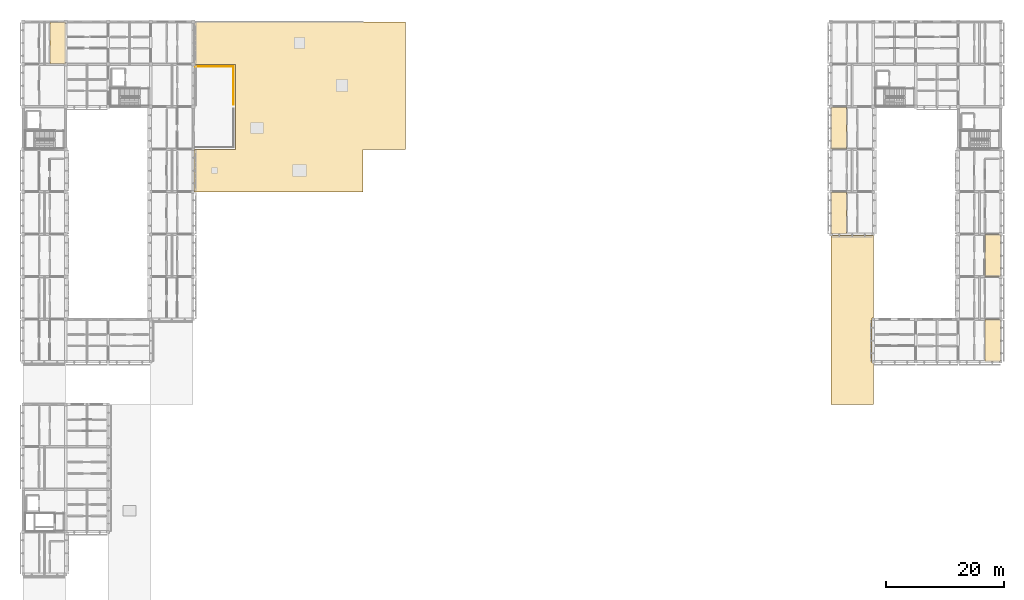
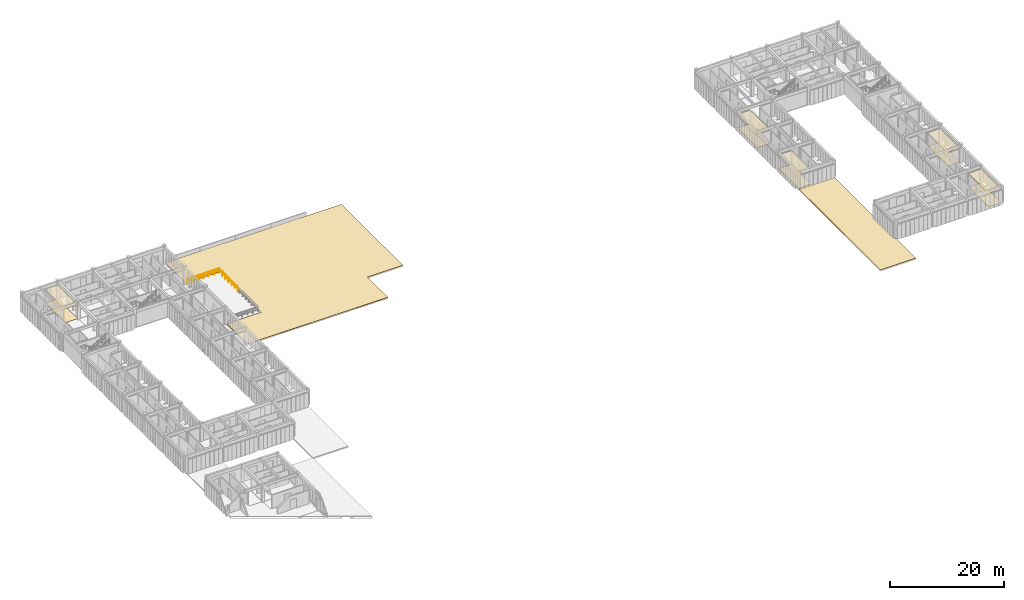
# One storey, part 66 of 67: 12 coverings, 2 railings.
"""IFC4 building model written with IfcOpenShell, lengths in metres."""

from ifc_helpers import new_model, si_unit, direction, frame, origin, origin_2d, place, context, subcontext, project, spatial, polyline, circle, outline, extrude, material, layer, layer_set, type_object, element, save


model = new_model("IFC4")

# Units and contexts
model_context = context("Model", 3, precision=1e-05, world=origin(), true_north=direction((0.0, 1.0)))
body_context = subcontext(model_context, "Body", "Model", "MODEL_VIEW")
ifc_project = project(units=[si_unit("LENGTHUNIT", "METRE"), si_unit("AREAUNIT", "SQUARE_METRE"), si_unit("VOLUMEUNIT", "CUBIC_METRE"), si_unit("PLANEANGLEUNIT", "RADIAN"), si_unit("MASSUNIT", "GRAM", prefix="KILO")], contexts=[model_context])

# Site, building, storey
site_placement = place(None, origin())
site = spatial("IfcSite", under=ifc_project, at=site_placement, CompositionType="ELEMENT")
building_placement = place(site_placement, origin())
building = spatial("IfcBuilding", under=site, at=building_placement, Name="Aldebral Square Health Centre", CompositionType="ELEMENT")
storey_placement = place(building_placement, frame((0.0, 0.0, 13.5)))
storey = spatial("IfcBuildingStorey", under=building, at=storey_placement, Name="L03", CompositionType="ELEMENT", Elevation=13.5)

# Coverings
ifc_material_1 = material(Name="Hygienic acoustic mineral ceiling tile")
ifc_layer_1 = layer(ifc_material_1, 0.02001953125, Name="Hygienic acoustic mineral ceiling tile")
ifc_layer_set_1 = layer_set([ifc_layer_1], Name="Hygienic acoustic mineral ceiling tile")
covering_type_1 = type_object("IfcCoveringType", Name="COV-CLG-AC", PredefinedType="CEILING", material=ifc_layer_set_1)
covering_1_placement = place(storey_placement, frame((0.0, 0.0, 2.909912109375)))
element("IfcCovering", 1, at=covering_1_placement, inside=storey, type_object=covering_type_1, Name="L03 Accessible WC 1.16E acoustic ceiling", PredefinedType="CEILING", context=body_context, shape_type="SweptSolid", body=[
    extrude(outline(polyline([(4.5400390625, 108.06005859375), (7.139892578125, 108.06005859375), (7.139892578125, 115.139892578125), (4.5400390625, 115.139892578125), (4.5400390625, 108.06005859375)])), origin(), (0.0, 0.0, 1.0), 0.02001953125),
])
covering_2_placement = place(storey_placement, frame((0.0, 0.0, 2.909912109375)))
element("IfcCovering", 2, at=covering_2_placement, inside=storey, type_object=covering_type_1, Name="L03 Cardiology Diagnostic Clinic 20.12W acoustic ceiling", PredefinedType="CEILING", context=body_context, shape_type="SweptSolid", body=[
    extrude(outline(polyline([(136.860107421875, 79.260009765625), (139.4599609375, 79.260009765625), (139.4599609375, 86.340087890625), (136.860107421875, 86.340087890625), (136.860107421875, 79.260009765625)])), origin(), (0.0, 0.0, 1.0), 0.02001953125),
])
covering_3_placement = place(storey_placement, frame((0.0, 0.0, 2.909912109375)))
element("IfcCovering", 3, at=covering_3_placement, inside=storey, type_object=covering_type_1, Name="L03 Accessible WC 20.14W acoustic ceiling", PredefinedType="CEILING", context=body_context, shape_type="SweptSolid", body=[
    extrude(outline(polyline([(136.860107421875, 93.659912109375), (139.4599609375, 93.659912109375), (139.4599609375, 100.739990234375), (136.860107421875, 100.739990234375), (136.860107421875, 93.659912109375)])), origin(), (0.0, 0.0, 1.0), 0.02001953125),
])
covering_4_placement = place(storey_placement, frame((0.0, 0.0, 2.909912109375)))
element("IfcCovering", 4, at=covering_4_placement, inside=storey, type_object=covering_type_1, Name="L03 Endocrinology Specialist Clinic 23.9E acoustic ceiling", PredefinedType="CEILING", context=body_context, shape_type="SweptSolid", body=[
    extrude(outline(polyline([(162.93994140625, 57.659912109375), (165.5400390625, 57.659912109375), (165.5400390625, 64.739990234375), (162.93994140625, 64.739990234375), (162.93994140625, 57.659912109375)])), origin(), (0.0, 0.0, 1.0), 0.02001953125),
])
covering_5_placement = place(storey_placement, frame((0.0, 0.0, 2.909912109375)))
element("IfcCovering", 5, at=covering_5_placement, inside=storey, type_object=covering_type_1, Name="L03 Cardiology Diagnostic Clinic 23.11E acoustic ceiling", PredefinedType="CEILING", context=body_context, shape_type="SweptSolid", body=[
    extrude(outline(polyline([(162.93994140625, 72.06005859375), (165.5400390625, 72.06005859375), (165.5400390625, 79.139892578125), (162.93994140625, 79.139892578125), (162.93994140625, 72.06005859375)])), origin(), (0.0, 0.0, 1.0), 0.02001953125),
])
ifc_material_2 = material(Name="Antimicrobial clinical vinyl flooring")
ifc_layer_2 = layer(ifc_material_2, 0.014892578125, Name="Antimicrobial clinical vinyl flooring")
ifc_layer_set_2 = layer_set([ifc_layer_2], Name="Antimicrobial clinical vinyl flooring")
covering_type_2 = type_object("IfcCoveringType", Name="COV-FLR-VN", PredefinedType="FLOORING", material=ifc_layer_set_2)
covering_6_placement = place(storey_placement, origin())
element("IfcCovering", 6, at=covering_6_placement, inside=storey, type_object=covering_type_2, Name="L03 Accessible WC 1.16E clinical flooring", PredefinedType="FLOORING", context=body_context, shape_type="SweptSolid", body=[
    extrude(outline(polyline([(4.5400390625, 108.06005859375), (7.139892578125, 108.06005859375), (7.139892578125, 115.139892578125), (4.5400390625, 115.139892578125), (4.5400390625, 108.06005859375)])), origin(), (0.0, 0.0, 1.0), 0.014892578125),
])
covering_7_placement = place(storey_placement, origin())
element("IfcCovering", 7, at=covering_7_placement, inside=storey, type_object=covering_type_2, Name="L03 Cardiology Diagnostic Clinic 20.12W clinical flooring", PredefinedType="FLOORING", context=body_context, shape_type="SweptSolid", body=[
    extrude(outline(polyline([(136.860107421875, 79.260009765625), (139.4599609375, 79.260009765625), (139.4599609375, 86.340087890625), (136.860107421875, 86.340087890625), (136.860107421875, 79.260009765625)])), origin(), (0.0, 0.0, 1.0), 0.014892578125),
])
covering_8_placement = place(storey_placement, origin())
element("IfcCovering", 8, at=covering_8_placement, inside=storey, type_object=covering_type_2, Name="L03 Accessible WC 20.14W clinical flooring", PredefinedType="FLOORING", context=body_context, shape_type="SweptSolid", body=[
    extrude(outline(polyline([(136.860107421875, 93.659912109375), (139.4599609375, 93.659912109375), (139.4599609375, 100.739990234375), (136.860107421875, 100.739990234375), (136.860107421875, 93.659912109375)])), origin(), (0.0, 0.0, 1.0), 0.014892578125),
])
covering_9_placement = place(storey_placement, origin())
element("IfcCovering", 9, at=covering_9_placement, inside=storey, type_object=covering_type_2, Name="L03 Endocrinology Specialist Clinic 23.9E clinical flooring", PredefinedType="FLOORING", context=body_context, shape_type="SweptSolid", body=[
    extrude(outline(polyline([(162.93994140625, 57.659912109375), (165.5400390625, 57.659912109375), (165.5400390625, 64.739990234375), (162.93994140625, 64.739990234375), (162.93994140625, 57.659912109375)])), origin(), (0.0, 0.0, 1.0), 0.014892578125),
])
covering_10_placement = place(storey_placement, origin())
element("IfcCovering", 10, at=covering_10_placement, inside=storey, type_object=covering_type_2, Name="L03 Cardiology Diagnostic Clinic 23.11E clinical flooring", PredefinedType="FLOORING", context=body_context, shape_type="SweptSolid", body=[
    extrude(outline(polyline([(162.93994140625, 72.06005859375), (165.5400390625, 72.06005859375), (165.5400390625, 79.139892578125), (162.93994140625, 79.139892578125), (162.93994140625, 72.06005859375)])), origin(), (0.0, 0.0, 1.0), 0.014892578125),
])
ifc_material_3 = material(Name="Reflective insulated membrane roofing")
ifc_layer_3 = layer(ifc_material_3, 0.050048828125, Name="Reflective insulated membrane roofing")
ifc_layer_set_3 = layer_set([ifc_layer_3], Name="Reflective insulated membrane roofing")
covering_type_3 = type_object("IfcCoveringType", Name="COV-RF-50", PredefinedType="ROOFING", material=ifc_layer_set_3)
covering_11_placement = place(storey_placement, origin())
element("IfcCovering", 11, at=covering_11_placement, inside=storey, type_object=covering_type_3, Name="L02 V2 roof slab 1 insulated roof membrane", PredefinedType="ROOFING", context=body_context, shape_type="SweptSolid", body=[
    extrude(outline(polyline([(36.0, 108.0), (29.02001953125, 108.0), (29.02001953125, 115.199951171875), (36.0, 115.199951171875), (43.199951171875, 115.199951171875), (50.39990234375, 115.199951171875), (57.60009765625, 115.199951171875), (64.800048828125, 115.199951171875), (64.800048828125, 108.0), (64.800048828125, 100.800048828125), (64.800048828125, 93.60009765625), (57.60009765625, 93.60009765625), (57.60009765625, 86.39990234375), (50.39990234375, 86.39990234375), (43.199951171875, 86.39990234375), (36.0, 86.39990234375), (29.02001953125, 86.39990234375), (29.02001953125, 93.60009765625), (36.0, 93.60009765625), (36.0, 100.800048828125), (36.0, 108.0)])), origin(), (0.0, 0.0, 1.0), 0.050048828125),
])
covering_12_placement = place(storey_placement, origin())
element("IfcCovering", 12, at=covering_12_placement, inside=storey, type_object=covering_type_3, Name="L02 V5 roof slab 1 insulated roof membrane", PredefinedType="ROOFING", context=body_context, shape_type="SweptSolid", body=[
    extrude(outline(polyline([(136.800048828125, 57.60009765625), (136.800048828125, 64.800048828125), (136.800048828125, 72.0), (136.800048828125, 78.97998046875), (144.0, 78.97998046875), (144.0, 72.0), (144.0, 65.02001953125), (143.780029296875, 65.02001953125), (143.780029296875, 57.3798828125), (144.0, 57.3798828125), (144.0, 50.39990234375), (136.800048828125, 50.39990234375), (136.800048828125, 57.60009765625)])), origin(), (0.0, 0.0, 1.0), 0.050048828125),
])

# Railings
ifc_material_4 = material(Name="Cream cantera and steel balustrade", Category="steel")
railing_type_1 = type_object("IfcRailingType", Name="RL-EXT-BAL", PredefinedType="BALUSTRADE", material=ifc_material_4)
railing_1_placement = place(storey_placement, frame((35.639892578125, 101.159912109375, 0.0)))
element("IfcRailing", 13, at=railing_1_placement, inside=storey, type_object=railing_type_1, Name="L03 Healing Terrace perimeter guard 4", PredefinedType="BALUSTRADE", context=body_context, shape_type="SweptSolid", body=[
    extrude(circle(Radius=0.02392578125, at=origin_2d()), frame((0.0, 0.0, 1.09619140625), z_axis=(0.0, 1.0, 0.0), x_axis=(-1.0, 0.0, 0.0)), (0.0, 0.0, 1.0), 6.47998046875),
    extrude(circle(Radius=0.02392578125, at=origin_2d()), frame((0.0, 0.0, 0.56005859375), z_axis=(0.0, 1.0, 0.0), x_axis=(-1.0, 0.0, 0.0)), (0.0, 0.0, 1.0), 6.47998046875),
    extrude(circle(Radius=0.02099609375, at=origin_2d()), origin(), (0.0, 0.0, 1.0), 1.072021484375),
    extrude(circle(Radius=0.02099609375, at=origin_2d()), frame((0.0, 1.080078125, 0.0)), (0.0, 0.0, 1.0), 1.072021484375),
    extrude(circle(Radius=0.02099609375, at=origin_2d()), frame((0.0, 2.159912109375, 0.0)), (0.0, 0.0, 1.0), 1.072021484375),
    extrude(circle(Radius=0.02099609375, at=origin_2d()), frame((0.0, 3.239990234375, 0.0)), (0.0, 0.0, 1.0), 1.072021484375),
    extrude(circle(Radius=0.02099609375, at=origin_2d()), frame((0.0, 4.320068359375, 0.0)), (0.0, 0.0, 1.0), 1.072021484375),
    extrude(circle(Radius=0.02099609375, at=origin_2d()), frame((0.0, 5.39990234375, 0.0)), (0.0, 0.0, 1.0), 1.072021484375),
    extrude(circle(Radius=0.02099609375, at=origin_2d()), frame((0.0, 6.47998046875, 0.0)), (0.0, 0.0, 1.0), 1.072021484375),
])
ifc_material_5 = material(Name="Painted steel S355JR guard", Category="steel")
railing_type_2 = type_object("IfcRailingType", Name="RL-EXT-GRD", PredefinedType="GUARDRAIL", material=ifc_material_5)
railing_2_placement = place(storey_placement, frame((29.159912109375, 107.639892578125, 0.0)))
element("IfcRailing", 14, at=railing_2_placement, inside=storey, type_object=railing_type_2, Name="L03 Healing Terrace perimeter guard 3", PredefinedType="GUARDRAIL", context=body_context, shape_type="SweptSolid", body=[
    extrude(circle(Radius=0.02392578125, at=origin_2d()), frame((0.0, 0.0, 1.076171875), z_axis=(1.0, 0.0, 0.0), x_axis=(0.0, 1.0, 0.0)), (0.0, 0.0, 1.0), 6.47998046875),
    extrude(circle(Radius=0.02392578125, at=origin_2d()), frame((0.0, 0.0, 0.550048828125), z_axis=(1.0, 0.0, 0.0), x_axis=(0.0, 1.0, 0.0)), (0.0, 0.0, 1.0), 6.47998046875),
    extrude(circle(Radius=0.02099609375, at=origin_2d()), origin(), (0.0, 0.0, 1.0), 1.052001953125),
    extrude(circle(Radius=0.02099609375, at=origin_2d()), frame((1.080078125, 0.0, 0.0)), (0.0, 0.0, 1.0), 1.052001953125),
    extrude(circle(Radius=0.02099609375, at=origin_2d()), frame((2.159912109375, 0.0, 0.0)), (0.0, 0.0, 1.0), 1.052001953125),
    extrude(circle(Radius=0.02099609375, at=origin_2d()), frame((3.239990234375, 0.0, 0.0)), (0.0, 0.0, 1.0), 1.052001953125),
    extrude(circle(Radius=0.02099609375, at=origin_2d()), frame((4.320068359375, 0.0, 0.0)), (0.0, 0.0, 1.0), 1.052001953125),
    extrude(circle(Radius=0.02099609375, at=origin_2d()), frame((5.39990234375, 0.0, 0.0)), (0.0, 0.0, 1.0), 1.052001953125),
    extrude(circle(Radius=0.02099609375, at=origin_2d()), frame((6.47998046875, 0.0, 0.0)), (0.0, 0.0, 1.0), 1.052001953125),
])

save(model, "model.ifc")
